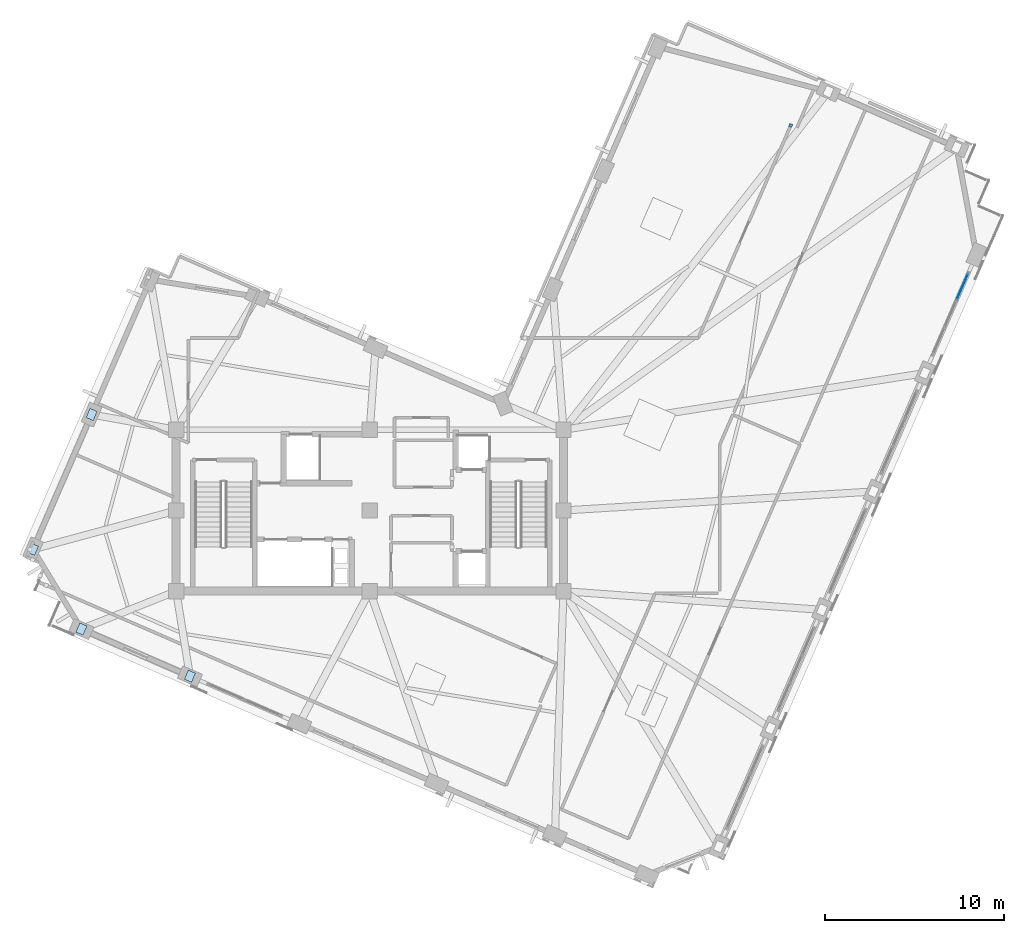
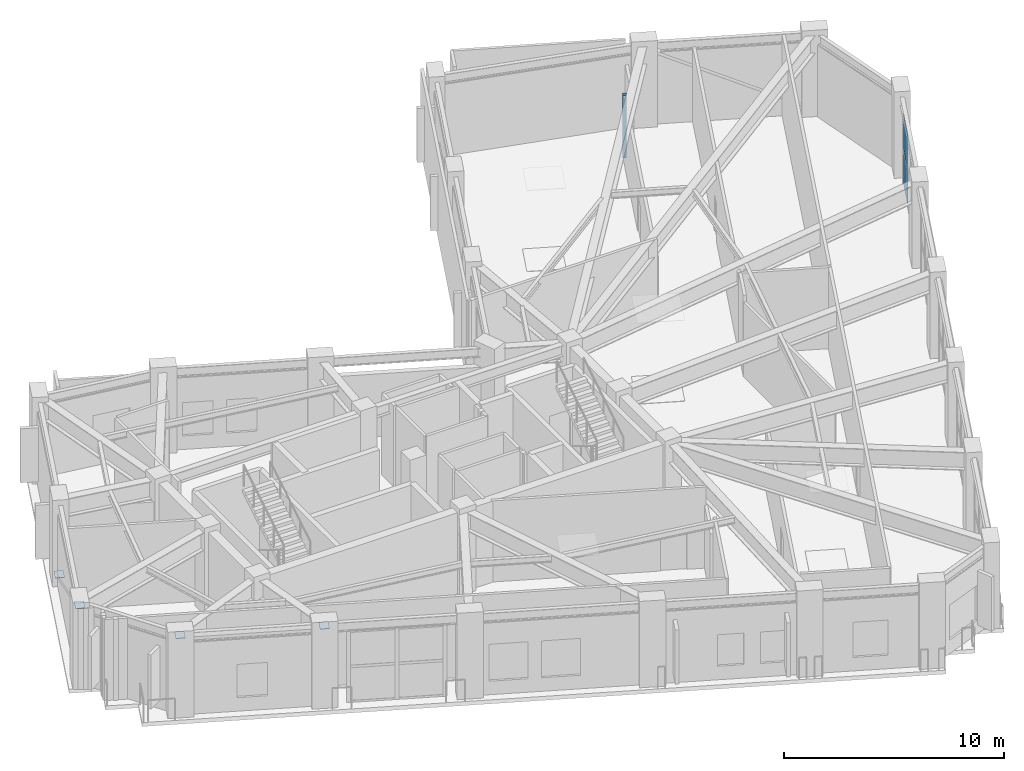
# One storey, part 9 of 16: 7 plates, 1 element without a shape of its own.
"""IFC4 building model written with IfcOpenShell, lengths in metres."""

import ifcopenshell
import ifcopenshell.guid

model = None  # the IFC model being written
_history = None  # IfcOwnerHistory: only IFC2X3 demands one
_inside = {}  # id of a spatial element -> (the spatial element, [elements in it])
_under = {}  # id of a project, library or spatial element -> (it, [spatial elements below it])
_declared = {}  # id of a project -> (the project, [libraries it declares])
_typed = {}  # id of a type object -> (the type object, [elements of that type])
_made_of = {}  # id of a material, layer set ... -> (it, [elements and type objects made of it])


def new_model(schema):
    """Start an empty IFC model of exactly this schema.

    Asked for "IFC4X3", IfcOpenShell would pick the latest addendum, in which some entities
    have other attributes; the version numbers below select the first issue.
    IFC2X3 requires an IfcOwnerHistory on every rooted entity: one is made here for all.
    """
    global model, _history
    if schema == "IFC4X3":
        model = ifcopenshell.file(schema_version=(4, 3, 0, 0))
    else:
        model = ifcopenshell.file(schema=schema)
    _inside.clear()
    _under.clear()
    _declared.clear()
    _typed.clear()
    _made_of.clear()
    _history = None
    if model.schema == "IFC2X3":
        org = make("IfcOrganization", Name="unknown")
        user = make(
            "IfcPersonAndOrganization",
            ThePerson=make("IfcPerson", FamilyName="unknown"),
            TheOrganization=org,
        )
        app = make(
            "IfcApplication",
            ApplicationDeveloper=org,
            Version="unknown",
            ApplicationFullName="unknown",
            ApplicationIdentifier="unknown",
        )
        _history = make(
            "IfcOwnerHistory",
            OwningUser=user,
            OwningApplication=app,
            ChangeAction="ADDED",
            CreationDate=0,
        )
    return model


def make(cls, **values):
    """One entity of the class cls with the attributes given. An attribute that is None is left unset."""
    return model.create_entity(
        cls, **{name: value for name, value in values.items() if value is not None}
    )


def rooted(cls, **values):
    """An entity with a GlobalId (a new one), such as an element, a storey or a relation."""
    return make(cls, GlobalId=ifcopenshell.guid.new(), OwnerHistory=_history, **values)


def si_unit(unit_type, name, prefix=None):
    """IfcSIUnit, for example si_unit("LENGTHUNIT", "METRE", prefix="MILLI")."""
    return make("IfcSIUnit", UnitType=unit_type, Prefix=prefix, Name=name)


def assignment(units):
    """IfcUnitAssignment: the units of a project."""
    return None if units is None else make("IfcUnitAssignment", Units=units)


def point(xyz):
    """IfcCartesianPoint."""
    return None if xyz is None else make("IfcCartesianPoint", Coordinates=xyz)


def direction(xyz):
    """IfcDirection."""
    return None if xyz is None else make("IfcDirection", DirectionRatios=xyz)


def frame(location, z_axis=None, x_axis=None):
    """IfcAxis2Placement3D, a coordinate frame: its origin and axes. An axis left out is left unset."""
    return make(
        "IfcAxis2Placement3D",
        Location=point(location),
        Axis=direction(z_axis),
        RefDirection=direction(x_axis),
    )


def frame_2d(location, x_axis=None):
    """IfcAxis2Placement2D, a coordinate frame in the plane: its origin and x axis."""
    return make(
        "IfcAxis2Placement2D", Location=point(location), RefDirection=direction(x_axis)
    )


def origin():
    """The frame at (0, 0, 0) with its axes left unset."""
    return frame((0.0, 0.0, 0.0))


def origin_2d():
    """The frame at (0, 0) in the plane with its x axis left unset."""
    return frame_2d((0.0, 0.0))


def place(relative_to, where):
    """IfcLocalPlacement: puts the frame where relative to a parent placement (None: the world)."""
    return make(
        "IfcLocalPlacement", PlacementRelTo=relative_to, RelativePlacement=where
    )


def context(
    kind, dimensions, precision=None, world=None, true_north=None, identifier=None
):
    """IfcGeometricRepresentationContext, for example the 3D "Model" context."""
    return make(
        "IfcGeometricRepresentationContext",
        ContextIdentifier=identifier,
        ContextType=kind,
        CoordinateSpaceDimension=dimensions,
        Precision=precision,
        WorldCoordinateSystem=world,
        TrueNorth=true_north,
    )


def subcontext(parent, identifier, kind, view, scale=None):
    """IfcGeometricRepresentationSubContext, for example "Body" below "Model"."""
    return make(
        "IfcGeometricRepresentationSubContext",
        ContextIdentifier=identifier,
        ContextType=kind,
        ParentContext=parent,
        TargetScale=scale,
        TargetView=view,
    )


def project(units=None, contexts=None):
    """IfcProject with its units and contexts."""
    return rooted(
        "IfcProject",
        Name="project",
        RepresentationContexts=contexts,
        UnitsInContext=assignment(units),
    )


def spatial(cls, under=None, at=None, **own):
    """A site, building, storey or space (cls), placed at a placement, below another one or the project."""
    s = rooted(cls, ObjectPlacement=at, **own)
    if under is not None:
        _under.setdefault(under.id(), (under, []))[1].append(s)
    return s


def profile(cls, at=None, kind="AREA", **sizes):
    """A parametric profile (cls). Its sizes go by their IFC names, for example OverallWidth=200.0."""
    return make(cls, ProfileType=kind, Position=at, **sizes)


def rectangle(**sizes):
    """IfcRectangleProfileDef."""
    return profile("IfcRectangleProfileDef", **sizes)


def extrude(swept, where, along, depth):
    """IfcExtrudedAreaSolid: the profile swept, set in the frame where, extruded along a direction by depth."""
    return make(
        "IfcExtrudedAreaSolid",
        SweptArea=swept,
        Position=where,
        ExtrudedDirection=direction(along),
        Depth=depth,
    )


def shape(context_of_items, identifier, shape_type, items):
    """IfcShapeRepresentation: the items that make up one representation, for example the "Body"."""
    return make(
        "IfcShapeRepresentation",
        ContextOfItems=context_of_items,
        RepresentationIdentifier=identifier,
        RepresentationType=shape_type,
        Items=items,
    )


def material(Name=None, Category=None):
    """IfcMaterial."""
    return make("IfcMaterial", Name=Name, Category=Category)


def layer(
    of_material, thickness, ventilated=None, Name=None, Category=None, Priority=None
):
    """IfcMaterialLayer: one layer of a wall or slab, of a material (None: an air gap)."""
    return make(
        "IfcMaterialLayer",
        Material=of_material,
        LayerThickness=thickness,
        IsVentilated=ventilated,
        Name=Name,
        Category=Category,
        Priority=Priority,
    )


def layer_set(layers, Name=None):
    """IfcMaterialLayerSet."""
    return make("IfcMaterialLayerSet", MaterialLayers=layers, LayerSetName=Name)


def made_of(thing, what):
    """Note that an element or type object is made of a material, layer set ...; save() writes the relation."""
    if what is not None:
        _made_of.setdefault(what.id(), (what, []))[1].append(thing)
    return thing


def type_object(cls, material=None, **own):
    """A type object (cls), such as IfcWallType, which elements share."""
    return made_of(rooted(cls, **own), material)


def element(
    cls,
    number,
    at=None,
    inside=None,
    cuts=None,
    type_object=None,
    material=None,
    context=None,
    identifier="Body",
    shape_type=None,
    held_by="IfcProductDefinitionShape",
    body=None,
    shapes=None,
    **own,
):
    """One element of the class cls, such as IfcWall. Its Tag is "e" and its number.

    at: its placement. inside: the storey or other place that contains it. cuts: it is an
    opening in that element (IfcRelVoidsElement). A single representation is given by context,
    identifier, shape_type and body (its items); several are given by shapes. held_by: the class
    of the entity that holds the representations. save() writes the other relations.
    """
    e = rooted(cls, Tag="e%d" % number, ObjectPlacement=at, **own)
    if body is not None:
        shapes = [shape(context, identifier, shape_type, body)]
    if shapes is not None:
        e.Representation = make(held_by, Representations=shapes)
    if inside is not None:
        _inside.setdefault(inside.id(), (inside, []))[1].append(e)
    if cuts is not None:
        rooted(
            "IfcRelVoidsElement", RelatingBuildingElement=cuts, RelatedOpeningElement=e
        )
    if type_object is not None:
        _typed.setdefault(type_object.id(), (type_object, []))[1].append(e)
    return made_of(e, material)


def aggregate(whole, parts):
    """IfcRelAggregates: a whole, such as a stair, and the parts it consists of."""
    return rooted("IfcRelAggregates", RelatingObject=whole, RelatedObjects=parts)


def save(model, path):
    """Write the relations noted so far, then the file.

    IfcRelAggregates (storeys below a building ...), IfcRelContainedInSpatialStructure (elements
    in a storey), IfcRelDefinesByType, IfcRelAssociatesMaterial and IfcRelDeclares: one each for
    every whole, place, type object, material and project.
    """
    for whole, parts in _under.values():
        aggregate(whole, parts)
    for where, things in _inside.values():
        rooted(
            "IfcRelContainedInSpatialStructure",
            RelatedElements=things,
            RelatingStructure=where,
        )
    for kind, things in _typed.values():
        rooted("IfcRelDefinesByType", RelatedObjects=things, RelatingType=kind)
    for what, things in _made_of.values():
        rooted("IfcRelAssociatesMaterial", RelatedObjects=things, RelatingMaterial=what)
    for by, libraries in _declared.values():
        rooted("IfcRelDeclares", RelatingContext=by, RelatedDefinitions=libraries)
    model.write(path)


model = new_model("IFC4")

# Units and contexts
model_context = context("Model", 3, precision=1e-05, world=origin(), true_north=direction((0.0, 1.0)))
body_context = subcontext(model_context, "Body", "Model", "MODEL_VIEW")
ifc_project = project(units=[si_unit("LENGTHUNIT", "METRE"), si_unit("AREAUNIT", "SQUARE_METRE"), si_unit("VOLUMEUNIT", "CUBIC_METRE"), si_unit("PLANEANGLEUNIT", "RADIAN"), si_unit("MASSUNIT", "GRAM", prefix="KILO")], contexts=[model_context])

# Site, building, storey
site_placement = place(None, origin())
site = spatial("IfcSite", under=ifc_project, at=site_placement, CompositionType="ELEMENT")
building_placement = place(site_placement, origin())
building = spatial("IfcBuilding", under=site, at=building_placement, Name="Gaonmaruhae Medical Tower", CompositionType="ELEMENT")
storey_placement = place(building_placement, frame((0.0, 0.0, 333.39990234375)))
storey = spatial("IfcBuildingStorey", under=building, at=storey_placement, Name="L80", CompositionType="ELEMENT", Elevation=333.39990234375)

# Curtain wall, plates
ifc_material_1 = material(Name="Anodised aluminium and Low-E double glazing", Category="aluminium")
curtain_wall_type = type_object("IfcCurtainWallType", Name="CW-S5 Observation Crown Panorama Curtain Wall", PredefinedType="NOTDEFINED", material=ifc_material_1)
curtain_wall_placement = place(storey_placement, origin())
curtain_wall = element("IfcCurtainWall", 1, at=curtain_wall_placement, inside=storey, type_object=curtain_wall_type, Name="L80 Curtain Wall CW-L80-S05", PredefinedType="NOTDEFINED")
ifc_material_2 = material(Name="Low-E double solar glass", Category="glass")
ifc_layer_1 = layer(ifc_material_2, 0.035888671875)
ifc_layer_set_1 = layer_set([ifc_layer_1], Name="Low-E double solar glass")
plate_type_1 = type_object("IfcPlateType", Name="CWP-V2 Acoustic Laminated Crown Vision Panel", PredefinedType="CURTAIN_PANEL", material=ifc_layer_set_1)
plate_1_placement = place(storey_placement, frame((57.85595703125, 24.785400390625, 0.065185546875), z_axis=(0.0, 0.0, 1.0), x_axis=(-0.398748669551, -0.917060248038, 0.0)))
plate_1 = element("IfcPlate", 2, at=plate_1_placement, type_object=plate_type_1, Name="CW-S5 panel 1.1", PredefinedType="CURTAIN_PANEL", context=body_context, shape_type="SweptSolid", body=[
    extrude(rectangle(XDim=1.577392578125, YDim=0.035888671875, at=origin_2d()), origin(), (0.0, 0.0, 1.0), 1.89501953125),
])
plate_2_placement = place(storey_placement, frame((57.85595703125, 24.785400390625, 2.025146484375), z_axis=(0.0, 0.0, 1.0), x_axis=(-0.398748669551, -0.917060248038, 0.0)))
plate_2 = element("IfcPlate", 3, at=plate_2_placement, type_object=plate_type_1, Name="CW-S5 panel 1.2", PredefinedType="CURTAIN_PANEL", context=body_context, shape_type="SweptSolid", body=[
    extrude(rectangle(XDim=1.577392578125, YDim=0.035888671875, at=origin_2d()), origin(), (0.0, 0.0, 1.0), 1.89501953125),
])
aggregate(curtain_wall, [plate_1, plate_2])

# Plates
ifc_material_3 = material(Name="Steel HSA650 (650 MPa)", Category="steel")
ifc_layer_2 = layer(ifc_material_3, 0.028076171875)
ifc_layer_set_2 = layer_set([ifc_layer_2], Name="Steel HSA650 (650 MPa)")
plate_type_2 = type_object("IfcPlateType", Name="GP-02 Tube Brace End Cap Gusset Plate", PredefinedType="USERDEFINED", material=ifc_layer_set_2)
for number, where, z_axis, x_axis, name in (
    (4, (9.283447265625, 17.653564453125, 0.23583984375), (0.0, 0.0, 1.0), (0.398749068925, 0.917060074385, 0.0), "L80 Gusset Cap Plate PLT-L80-PBR-N02A"),
    (5, (6.013671875, 10.133544921875, 4.23583984375), (0.0, 0.0, 1.0), (0.398749068925, 0.917060074385, 0.0), "L80 Gusset Cap Plate PLT-L80-PBR-N02B"),
    (6, (8.715087890625, 5.687744140625, 4.3310546875), (0.0, 0.0, 1.0), (0.398749068925, 0.917060074385, 0.0), "L80 Gusset Cap Plate PLT-L80-PR05A"),
    (7, (14.767578125, 3.055908203125, 4.3310546875), (0.0, 0.0, 1.0), (0.398749068925, 0.917060074385, 0.0), "L80 Gusset Cap Plate PLT-L80-PR05B"),
):
    element("IfcPlate", number, at=place(storey_placement, frame(where, z_axis=z_axis, x_axis=x_axis)), inside=storey, type_object=plate_type_2, Name=name, ObjectType="GUSSET_PLATE", PredefinedType="USERDEFINED", context=body_context, shape_type="SweptSolid", body=[
        extrude(rectangle(XDim=0.56005859375, YDim=0.43994140625, at=origin_2d()), origin(), (0.0, 0.0, 1.0), 0.028076171875),
    ])
ifc_material_4 = material(Name="Anodised aluminium 6063-T6", Category="aluminium")
ifc_layer_3 = layer(ifc_material_4, 0.011962890625)
ifc_layer_set_3 = layer_set([ifc_layer_3], Name="Anodised aluminium 6063-T6")
plate_type_3 = type_object("IfcPlateType", Name="PP-01 Interior Partition Corner Stiffener Plate", PredefinedType="SHEET", material=ifc_layer_set_3)
plate_3_placement = place(storey_placement, frame((48.27490234375, 33.7724609375, 0.0), z_axis=(0.0, 0.0, 1.0), x_axis=(-0.398765074582, -0.917053114761, 0.0)))
element("IfcPlate", 8, at=plate_3_placement, inside=storey, type_object=plate_type_3, Name="L80 Partition End Jamb Post Plate PLT-L80-ENDP-PW024-0", PredefinedType="SHEET", context=body_context, shape_type="SweptSolid", body=[
    extrude(rectangle(XDim=0.179931640625, YDim=0.179931640625, at=origin_2d()), origin(), (0.0, 0.0, 1.0), 3.485107421875),
])

save(model, "model.ifc")
